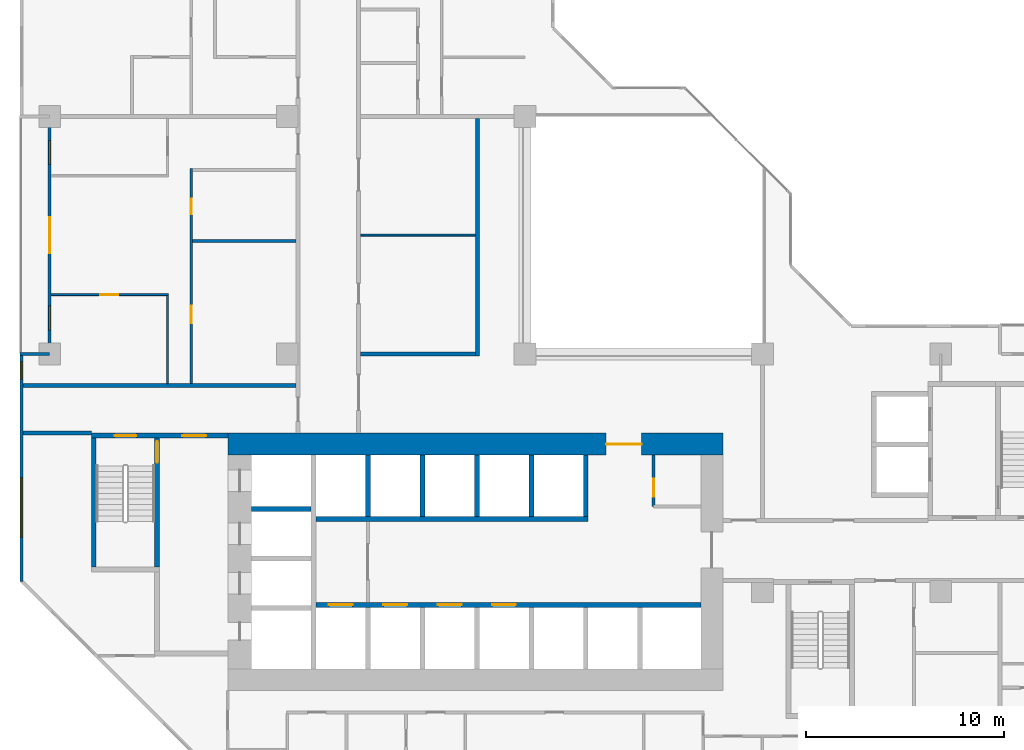
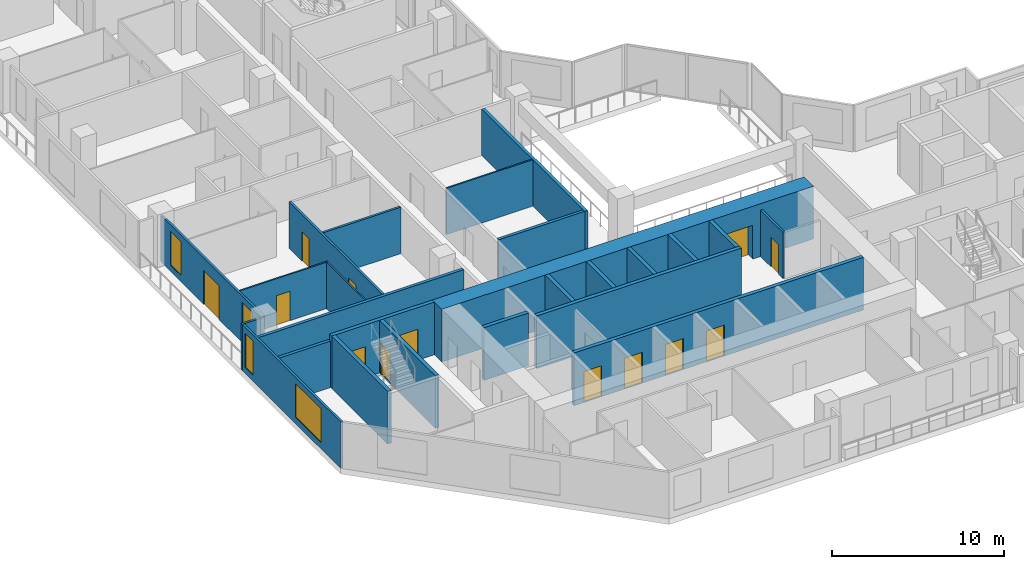
# One storey, part 5 of 16: 25 walls, 13 doors, 4 windows, 17 openings.
"""IFC4 building model written with IfcOpenShell, lengths in metres."""

from ifc_helpers import new_model, si_unit, direction, frame, frame_2d, origin, place, context, subcontext, project, spatial, rectangle, extrude, material, layer, layer_set, type_object, element, fill, save


model = new_model("IFC4")

# Units and contexts
model_context = context("Model", 3, precision=1e-05, world=origin(), true_north=direction((0.0, 1.0)))
body_context = subcontext(model_context, "Body", "Model", "MODEL_VIEW")
ifc_project = project(units=[si_unit("LENGTHUNIT", "METRE"), si_unit("AREAUNIT", "SQUARE_METRE"), si_unit("VOLUMEUNIT", "CUBIC_METRE"), si_unit("PLANEANGLEUNIT", "RADIAN"), si_unit("MASSUNIT", "GRAM", prefix="KILO")], contexts=[model_context])

# Site, building, storey
site_placement = place(None, origin())
site = spatial("IfcSite", under=ifc_project, at=site_placement, CompositionType="ELEMENT")
building_placement = place(site_placement, origin())
building = spatial("IfcBuilding", under=site, at=building_placement, Name="Chenar Terraces", CompositionType="ELEMENT")
storey_placement = place(building_placement, frame((0.0, 0.0, 82.64990234375)))
storey = spatial("IfcBuildingStorey", under=building, at=storey_placement, Name="L18", CompositionType="ELEMENT", Elevation=82.64990234375)

# Wall, opening, door
ifc_material_1 = material(Name="Gypsum board on steel studs", Category="steel")
ifc_layer_1 = layer(ifc_material_1, 0.14990234375)
ifc_layer_set_1 = layer_set([ifc_layer_1], Name="Gypsum board on steel studs")
wall_type_1 = type_object("IfcWallType", Name="Core partition 150 gypsum board", PredefinedType="PARTITIONING", material=ifc_layer_set_1)
wall_1_placement = place(storey_placement, frame((30.5, 16.300048828125, 0.0), z_axis=(0.0, 0.0, 1.0), x_axis=(0.0, 1.0, 0.0)))
wall_1 = element("IfcWall", 1, at=wall_1_placement, inside=storey, type_object=wall_type_1, Name="Core partition CP1 vestibule room west wall", PredefinedType="PARTITIONING", context=body_context, shape_type="SweptSolid", body=[
    extrude(rectangle(XDim=2.599853515625, YDim=0.14990234375, at=frame_2d((1.2998046875, 0.0))), origin(), (0.0, 0.0, 1.0), 3.300048828125),
])
opening_1_placement = place(wall_1_placement, frame((0.5, 0.0, 0.0)))
opening_1 = element("IfcOpeningElement", 2, at=opening_1_placement, cuts=wall_1, Name="Opening DL18-C13", PredefinedType="OPENING", context=body_context, shape_type="SweptSolid", body=[
    extrude(rectangle(XDim=0.89990234375, YDim=2.10009765625, at=frame_2d((0.449951171875, 1.050048828125))), frame((0.0, 0.0849609375, 0.0), z_axis=(0.0, -1.0, 0.0), x_axis=(1.0, 0.0, 0.0)), (0.0, 0.0, 1.0), 0.169921875),
])
ifc_material_2 = material(Name="Steel-framed fire-resisting door leaf", Category="steel")
door_type_1 = type_object("IfcDoorType", Name="Riser fire door FD60 900 x 2100", OperationType="SINGLE_SWING_LEFT", PredefinedType="DOOR", material=ifc_material_2)
door_1_placement = place(opening_1_placement, frame((0.89990234375, 0.0, 0.0), z_axis=(0.0, 0.0, 1.0), x_axis=(-1.0, 0.0, 0.0)))
door_1 = element("IfcDoor", 3, at=door_1_placement, inside=storey, type_object=door_type_1, Name="Core room door DL18-C13", OperationType="SINGLE_SWING_RIGHT", OverallHeight=2.10009765625, OverallWidth=0.89990234375, PredefinedType="DOOR", context=body_context, shape_type="SweptSolid", body=[
    extrude(rectangle(XDim=0.89990234375, YDim=2.10009765625, at=frame_2d((0.449951171875, 1.050048828125))), frame((0.0, 0.02490234375, 0.0), z_axis=(0.0, -1.0, 0.0), x_axis=(1.0, 0.0, 0.0)), (0.0, 0.0, 1.0), 0.050048828125),
])
fill(opening_1, door_1)

ifc_material_3 = material(Name="Concrete C70/85", Category="concrete")
ifc_layer_2 = layer(ifc_material_3, 1.10009765625)
ifc_layer_set_2 = layer_set([ifc_layer_2], Name="Concrete C70/85")
wall_type_2 = type_object("IfcWallType", Name="Core wall 1100 Concrete C70/85", PredefinedType="SHEAR", material=ifc_layer_set_2)
wall_2_placement = place(storey_placement, frame((9.0, 19.449951171875, 0.0), z_axis=(0.0, 0.0, 1.0), x_axis=(1.0, 0.0, 0.0)))
wall_2 = element("IfcWall", 4, at=wall_2_placement, inside=storey, type_object=wall_type_2, Name="Core wall N L18", PredefinedType="SHEAR", context=body_context, shape_type="SweptSolid", body=[
    extrude(rectangle(XDim=25.0, YDim=1.10009765625, at=frame_2d((12.5, 0.0))), origin(), (0.0, 0.0, 1.0), 3.75),
])
opening_2_placement = place(wall_2_placement, frame((19.10009765625, 0.0, 0.0)))
opening_2 = element("IfcOpeningElement", 5, at=opening_2_placement, cuts=wall_2, Name="Opening DL18-C2", PredefinedType="OPENING", context=body_context, shape_type="SweptSolid", body=[
    extrude(rectangle(XDim=1.800048828125, YDim=2.39990234375, at=frame_2d((0.89990234375, 1.199951171875))), frame((0.0, 0.56005859375, 0.0), z_axis=(0.0, -1.0, 0.0), x_axis=(1.0, 0.0, 0.0)), (0.0, 0.0, 1.0), 1.1201171875),
])
ifc_material_4 = material(Name="Steel-framed fire-resisting door leaf", Category="steel")
door_type_2 = type_object("IfcDoorType", Name="Core entrance double fire door FD60 1800 x 2400", OperationType="DOUBLE_DOOR_SINGLE_SWING", PredefinedType="DOOR", material=ifc_material_4)
door_2_placement = place(opening_2_placement, frame((1.800048828125, 0.0, 0.0), z_axis=(0.0, 0.0, 1.0), x_axis=(-1.0, 0.0, 0.0)))
door_2 = element("IfcDoor", 6, at=door_2_placement, inside=storey, type_object=door_type_2, Name="Core door DL18-C2", OperationType="DOUBLE_DOOR_SINGLE_SWING", OverallHeight=2.39990234375, OverallWidth=1.800048828125, PredefinedType="DOOR", context=body_context, shape_type="SweptSolid", body=[
    extrude(rectangle(XDim=1.800048828125, YDim=2.39990234375, at=frame_2d((0.89990234375, 1.199951171875))), frame((0.0, 0.02490234375, 0.0), z_axis=(0.0, -1.0, 0.0), x_axis=(1.0, 0.0, 0.0)), (0.0, 0.0, 1.0), 0.050048828125),
])
fill(opening_2, door_2)

# Wall, openings, doors
ifc_material_5 = material(Name="Concrete C70/85", Category="concrete")
ifc_layer_3 = layer(ifc_material_5, 0.25)
ifc_layer_set_3 = layer_set([ifc_layer_3], Name="Concrete C70/85")
wall_type_3 = type_object("IfcWallType", Name="Core wall 250 Concrete C70/85", PredefinedType="SHEAR", material=ifc_layer_set_3)
wall_3_placement = place(storey_placement, frame((13.449951171875, 11.324951171875, 0.0), z_axis=(0.0, 0.0, 1.0), x_axis=(1.0, 0.0, 0.0)))
wall_3 = element("IfcWall", 7, at=wall_3_placement, inside=storey, type_object=wall_type_3, Name="Core wall SF L18", PredefinedType="SHEAR", context=body_context, shape_type="SweptSolid", body=[
    extrude(rectangle(XDim=19.449951171875, YDim=0.25, at=frame_2d((9.72509765625, 0.0))), origin(), (0.0, 0.0, 1.0), 3.75),
])
opening_3_placement = place(wall_3_placement, frame((0.64990234375, 0.0, 0.0)))
opening_3 = element("IfcOpeningElement", 8, at=opening_3_placement, cuts=wall_3, Name="Opening DL18-LD1", PredefinedType="OPENING", context=body_context, shape_type="SweptSolid", body=[
    extrude(rectangle(XDim=1.199951171875, YDim=2.199951171875, at=frame_2d((0.60009765625, 1.10009765625))), frame((0.0, 0.135009765625, 0.0), z_axis=(0.0, -1.0, 0.0), x_axis=(1.0, 0.0, 0.0)), (0.0, 0.0, 1.0), 0.27001953125),
])
opening_4_placement = place(wall_3_placement, frame((3.39990234375, 0.0, 0.0)))
opening_4 = element("IfcOpeningElement", 9, at=opening_4_placement, cuts=wall_3, Name="Opening DL18-LD2", PredefinedType="OPENING", context=body_context, shape_type="SweptSolid", body=[
    extrude(rectangle(XDim=1.199951171875, YDim=2.199951171875, at=frame_2d((0.60009765625, 1.10009765625))), frame((0.0, 0.135009765625, 0.0), z_axis=(0.0, -1.0, 0.0), x_axis=(1.0, 0.0, 0.0)), (0.0, 0.0, 1.0), 0.27001953125),
])
opening_5_placement = place(wall_3_placement, frame((6.14990234375, 0.0, 0.0)))
opening_5 = element("IfcOpeningElement", 10, at=opening_5_placement, cuts=wall_3, Name="Opening DL18-LD3", PredefinedType="OPENING", context=body_context, shape_type="SweptSolid", body=[
    extrude(rectangle(XDim=1.199951171875, YDim=2.199951171875, at=frame_2d((0.60009765625, 1.10009765625))), frame((0.0, 0.135009765625, 0.0), z_axis=(0.0, -1.0, 0.0), x_axis=(1.0, 0.0, 0.0)), (0.0, 0.0, 1.0), 0.27001953125),
])
opening_6_placement = place(wall_3_placement, frame((8.89990234375, 0.0, 0.0)))
opening_6 = element("IfcOpeningElement", 11, at=opening_6_placement, cuts=wall_3, Name="Opening DL18-LD4", PredefinedType="OPENING", context=body_context, shape_type="SweptSolid", body=[
    extrude(rectangle(XDim=1.199951171875, YDim=2.199951171875, at=frame_2d((0.60009765625, 1.10009765625))), frame((0.0, 0.135009765625, 0.0), z_axis=(0.0, -1.0, 0.0), x_axis=(1.0, 0.0, 0.0)), (0.0, 0.0, 1.0), 0.27001953125),
])
ifc_material_6 = material(Name="Stainless steel", Category="steel")
door_type_3 = type_object("IfcDoorType", Name="Lift landing door 1200 x 2200 sliding", OperationType="DOUBLE_DOOR_SLIDING", PredefinedType="DOOR", material=ifc_material_6)
door_3_placement = place(opening_3_placement, origin())
door_3 = element("IfcDoor", 12, at=door_3_placement, inside=storey, type_object=door_type_3, Name="Landing door L1", OperationType="DOUBLE_DOOR_SLIDING", OverallHeight=2.199951171875, OverallWidth=1.199951171875, PredefinedType="DOOR", context=body_context, shape_type="SweptSolid", body=[
    extrude(rectangle(XDim=1.199951171875, YDim=2.199951171875, at=frame_2d((0.60009765625, 1.10009765625))), frame((0.0, 0.02490234375, 0.0), z_axis=(0.0, -1.0, 0.0), x_axis=(1.0, 0.0, 0.0)), (0.0, 0.0, 1.0), 0.050048828125),
])
fill(opening_3, door_3)
door_4_placement = place(opening_4_placement, origin())
door_4 = element("IfcDoor", 13, at=door_4_placement, inside=storey, type_object=door_type_3, Name="Landing door L2", OperationType="DOUBLE_DOOR_SLIDING", OverallHeight=2.199951171875, OverallWidth=1.199951171875, PredefinedType="DOOR", context=body_context, shape_type="SweptSolid", body=[
    extrude(rectangle(XDim=1.199951171875, YDim=2.199951171875, at=frame_2d((0.60009765625, 1.10009765625))), frame((0.0, 0.02490234375, 0.0), z_axis=(0.0, -1.0, 0.0), x_axis=(1.0, 0.0, 0.0)), (0.0, 0.0, 1.0), 0.050048828125),
])
fill(opening_4, door_4)
door_5_placement = place(opening_5_placement, origin())
door_5 = element("IfcDoor", 14, at=door_5_placement, inside=storey, type_object=door_type_3, Name="Landing door L3", OperationType="DOUBLE_DOOR_SLIDING", OverallHeight=2.199951171875, OverallWidth=1.199951171875, PredefinedType="DOOR", context=body_context, shape_type="SweptSolid", body=[
    extrude(rectangle(XDim=1.199951171875, YDim=2.199951171875, at=frame_2d((0.60009765625, 1.10009765625))), frame((0.0, 0.02490234375, 0.0), z_axis=(0.0, -1.0, 0.0), x_axis=(1.0, 0.0, 0.0)), (0.0, 0.0, 1.0), 0.050048828125),
])
fill(opening_5, door_5)
door_6_placement = place(opening_6_placement, origin())
door_6 = element("IfcDoor", 15, at=door_6_placement, inside=storey, type_object=door_type_3, Name="Landing door L4", OperationType="DOUBLE_DOOR_SLIDING", OverallHeight=2.199951171875, OverallWidth=1.199951171875, PredefinedType="DOOR", context=body_context, shape_type="SweptSolid", body=[
    extrude(rectangle(XDim=1.199951171875, YDim=2.199951171875, at=frame_2d((0.60009765625, 1.10009765625))), frame((0.0, 0.02490234375, 0.0), z_axis=(0.0, -1.0, 0.0), x_axis=(1.0, 0.0, 0.0)), (0.0, 0.0, 1.0), 0.050048828125),
])
fill(opening_6, door_6)

# Walls
wall_4_placement = place(storey_placement, frame((13.449951171875, 15.675048828125, 0.0), z_axis=(0.0, 0.0, 1.0), x_axis=(1.0, 0.0, 0.0)))
element("IfcWall", 16, at=wall_4_placement, inside=storey, type_object=wall_type_3, Name="Core wall NF L18", PredefinedType="SHEAR", context=body_context, shape_type="SweptSolid", body=[
    extrude(rectangle(XDim=13.75, YDim=0.25, at=frame_2d((6.875, 0.0))), origin(), (0.0, 0.0, 1.0), 3.75),
])
wall_5_placement = place(storey_placement, frame((10.199951171875, 16.175048828125, 0.0), z_axis=(0.0, 0.0, 1.0), x_axis=(1.0, 0.0, 0.0)))
element("IfcWall", 17, at=wall_5_placement, inside=storey, type_object=wall_type_3, Name="Core wall HW2 L18", PredefinedType="SHEAR", context=body_context, shape_type="SweptSolid", body=[
    extrude(rectangle(XDim=3.0, YDim=0.25, at=frame_2d((1.5, 0.0))), origin(), (0.0, 0.0, 1.0), 3.75),
])
for number, where, z_axis, x_axis, name in (
    (18, (16.074951171875, 15.800048828125, 0.0), (0.0, 0.0, 1.0), (0.0, 1.0, 0.0), "Core wall NS0 L18"),
    (19, (18.824951171875, 15.800048828125, 0.0), (0.0, 0.0, 1.0), (0.0, 1.0, 0.0), "Core wall NS1 L18"),
    (20, (21.574951171875, 15.800048828125, 0.0), (0.0, 0.0, 1.0), (0.0, 1.0, 0.0), "Core wall NS2 L18"),
    (21, (24.324951171875, 15.800048828125, 0.0), (0.0, 0.0, 1.0), (0.0, 1.0, 0.0), "Core wall NS3 L18"),
    (22, (27.074951171875, 15.800048828125, 0.0), (0.0, 0.0, 1.0), (0.0, 1.0, 0.0), "Core wall NE L18"),
):
    element("IfcWall", number, at=place(storey_placement, frame(where, z_axis=z_axis, x_axis=x_axis)), inside=storey, type_object=wall_type_3, Name=name, PredefinedType="SHEAR", context=body_context, shape_type="SweptSolid", body=[
        extrude(rectangle(XDim=3.099853515625, YDim=0.25, at=frame_2d((1.5498046875, 0.0))), origin(), (0.0, 0.0, 1.0), 3.75),
    ])

# Wall, openings, doors
wall_6_placement = place(storey_placement, frame((2.10009765625, 19.875, 0.0), z_axis=(0.0, 0.0, 1.0), x_axis=(1.0, 0.0, 0.0)))
wall_6 = element("IfcWall", 23, at=wall_6_placement, inside=storey, type_object=wall_type_3, Name="Core wall A_N L18", PredefinedType="SHEAR", context=body_context, shape_type="SweptSolid", body=[
    extrude(rectangle(XDim=6.89990234375, YDim=0.25, at=frame_2d((3.449951171875, 0.0))), origin(), (0.0, 0.0, 1.0), 3.75),
])
opening_7_placement = place(wall_6_placement, frame((1.175048828125, 0.0, 0.0)))
opening_7 = element("IfcOpeningElement", 24, at=opening_7_placement, cuts=wall_6, Name="Opening DL18-C5", PredefinedType="OPENING", context=body_context, shape_type="SweptSolid", body=[
    extrude(rectangle(XDim=1.10009765625, YDim=2.199951171875, at=frame_2d((0.550048828125, 1.10009765625))), frame((0.0, 0.135009765625, 0.0), z_axis=(0.0, -1.0, 0.0), x_axis=(1.0, 0.0, 0.0)), (0.0, 0.0, 1.0), 0.27001953125),
])
opening_8_placement = place(wall_6_placement, frame((4.60009765625, 0.0, 0.0)))
opening_8 = element("IfcOpeningElement", 25, at=opening_8_placement, cuts=wall_6, Name="Opening DL18-C6", PredefinedType="OPENING", context=body_context, shape_type="SweptSolid", body=[
    extrude(rectangle(XDim=1.199951171875, YDim=2.199951171875, at=frame_2d((0.60009765625, 1.10009765625))), frame((0.0, 0.135009765625, 0.0), z_axis=(0.0, -1.0, 0.0), x_axis=(1.0, 0.0, 0.0)), (0.0, 0.0, 1.0), 0.27001953125),
])
ifc_material_7 = material(Name="Steel-framed fire-resisting door leaf", Category="steel")
door_type_4 = type_object("IfcDoorType", Name="Lobby fire door FD60 1200 x 2200", OperationType="SINGLE_SWING_LEFT", PredefinedType="DOOR", material=ifc_material_7)
door_7_placement = place(opening_8_placement, frame((1.199951171875, 0.0, 0.0), z_axis=(0.0, 0.0, 1.0), x_axis=(-1.0, 0.0, 0.0)))
door_7 = element("IfcDoor", 26, at=door_7_placement, inside=storey, type_object=door_type_4, Name="Core door DL18-C6", OperationType="SINGLE_SWING_LEFT", OverallHeight=2.199951171875, OverallWidth=1.199951171875, PredefinedType="DOOR", context=body_context, shape_type="SweptSolid", body=[
    extrude(rectangle(XDim=1.199951171875, YDim=2.199951171875, at=frame_2d((0.60009765625, 1.10009765625))), frame((0.0, 0.02490234375, 0.0), z_axis=(0.0, -1.0, 0.0), x_axis=(1.0, 0.0, 0.0)), (0.0, 0.0, 1.0), 0.050048828125),
])
fill(opening_8, door_7)
ifc_material_8 = material(Name="Steel-framed fire-resisting door leaf", Category="steel")
door_type_5 = type_object("IfcDoorType", Name="Stair fire door FD60 1100 x 2200", OperationType="SINGLE_SWING_LEFT", PredefinedType="DOOR", material=ifc_material_8)
door_8_placement = place(opening_7_placement, origin())
door_8 = element("IfcDoor", 27, at=door_8_placement, inside=storey, type_object=door_type_5, Name="Stair door DL18-C5", OperationType="SINGLE_SWING_LEFT", OverallHeight=2.199951171875, OverallWidth=1.10009765625, PredefinedType="DOOR", context=body_context, shape_type="SweptSolid", body=[
    extrude(rectangle(XDim=1.10009765625, YDim=2.199951171875, at=frame_2d((0.550048828125, 1.10009765625))), frame((0.0, 0.02490234375, 0.0), z_axis=(0.0, -1.0, 0.0), x_axis=(1.0, 0.0, 0.0)), (0.0, 0.0, 1.0), 0.050048828125),
])
fill(opening_7, door_8)

# Wall
wall_7_placement = place(storey_placement, frame((2.22509765625, 13.25, 0.0), z_axis=(0.0, 0.0, 1.0), x_axis=(0.0, 1.0, 0.0)))
element("IfcWall", 28, at=wall_7_placement, inside=storey, type_object=wall_type_3, Name="Core wall ST1_W L18", PredefinedType="SHEAR", context=body_context, shape_type="SweptSolid", body=[
    extrude(rectangle(XDim=6.5, YDim=0.25, at=frame_2d((3.25, 0.0))), origin(), (0.0, 0.0, 1.0), 3.75),
])

# Wall, opening, door
wall_8_placement = place(storey_placement, frame((5.425048828125, 13.25, 0.0), z_axis=(0.0, 0.0, 1.0), x_axis=(0.0, 1.0, 0.0)))
wall_8 = element("IfcWall", 29, at=wall_8_placement, inside=storey, type_object=wall_type_3, Name="Core wall ST1_E L18", PredefinedType="SHEAR", context=body_context, shape_type="SweptSolid", body=[
    extrude(rectangle(XDim=6.5, YDim=0.25, at=frame_2d((3.25, 0.0))), origin(), (0.0, 0.0, 1.0), 3.75),
])
opening_9_placement = place(wall_8_placement, frame((5.25, 0.0, 0.0)))
opening_9 = element("IfcOpeningElement", 30, at=opening_9_placement, cuts=wall_8, Name="Opening DL18-C3", PredefinedType="OPENING", context=body_context, shape_type="SweptSolid", body=[
    extrude(rectangle(XDim=1.10009765625, YDim=2.199951171875, at=frame_2d((0.550048828125, 1.10009765625))), frame((0.0, 0.135009765625, 0.0), z_axis=(0.0, -1.0, 0.0), x_axis=(1.0, 0.0, 0.0)), (0.0, 0.0, 1.0), 0.27001953125),
])
door_9_placement = place(opening_9_placement, origin())
door_9 = element("IfcDoor", 31, at=door_9_placement, inside=storey, type_object=door_type_5, Name="Stair door DL18-C3", OperationType="SINGLE_SWING_RIGHT", OverallHeight=2.199951171875, OverallWidth=1.10009765625, PredefinedType="DOOR", context=body_context, shape_type="SweptSolid", body=[
    extrude(rectangle(XDim=1.10009765625, YDim=2.199951171875, at=frame_2d((0.550048828125, 1.10009765625))), frame((0.0, 0.02490234375, 0.0), z_axis=(0.0, -1.0, 0.0), x_axis=(1.0, 0.0, 0.0)), (0.0, 0.0, 1.0), 0.050048828125),
])
fill(opening_9, door_9)

# Walls
ifc_material_9 = material(Name="Gypsum board on steel studs with fire boards", Category="steel")
ifc_layer_4 = layer(ifc_material_9, 0.199951171875)
ifc_layer_set_4 = layer_set([ifc_layer_4], Name="Gypsum board on steel studs with fire boards")
wall_type_4 = type_object("IfcWallType", Name="Corridor wall 200", PredefinedType="PARTITIONING", material=ifc_layer_set_4)
wall_9_placement = place(storey_placement, frame((-1.35009765625, 20.0, 0.0), z_axis=(0.0, 0.0, 1.0), x_axis=(1.0, 0.0, 0.0)))
element("IfcWall", 32, at=wall_9_placement, inside=storey, type_object=wall_type_4, Name="Partition L18-001", PredefinedType="PARTITIONING", context=body_context, shape_type="SweptSolid", body=[
    extrude(rectangle(XDim=3.4501953125, YDim=0.199951171875, at=frame_2d((1.72509765625, 0.0))), origin(), (0.0, 0.0, 1.0), 3.300048828125),
])
wall_10_placement = place(storey_placement, frame((-1.35009765625, 22.39990234375, 0.0), z_axis=(0.0, 0.0, 1.0), x_axis=(1.0, 0.0, 0.0)))
element("IfcWall", 33, at=wall_10_placement, inside=storey, type_object=wall_type_4, Name="Partition L18-002", PredefinedType="PARTITIONING", context=body_context, shape_type="SweptSolid", body=[
    extrude(rectangle(XDim=13.800048828125, YDim=0.199951171875, at=frame_2d((6.89990234375, 0.0))), origin(), (0.0, 0.0, 1.0), 3.300048828125),
])
wall_11_placement = place(storey_placement, frame((15.699951171875, 24.0, 0.0), z_axis=(0.0, 0.0, 1.0), x_axis=(1.0, 0.0, 0.0)))
element("IfcWall", 34, at=wall_11_placement, inside=storey, type_object=wall_type_4, Name="Partition L18-039", PredefinedType="PARTITIONING", context=body_context, shape_type="SweptSolid", body=[
    extrude(rectangle(XDim=5.800048828125, YDim=0.199951171875, at=frame_2d((2.89990234375, 0.0))), origin(), (0.0, 0.0, 1.0), 3.300048828125),
])
wall_12_placement = place(storey_placement, frame((21.60009765625, 23.89990234375, 0.0), z_axis=(0.0, 0.0, 1.0), x_axis=(0.0, 1.0, 0.0)))
element("IfcWall", 35, at=wall_12_placement, inside=storey, type_object=wall_type_4, Name="Partition L18-058", PredefinedType="PARTITIONING", context=body_context, shape_type="SweptSolid", body=[
    extrude(rectangle(XDim=12.0, YDim=0.199951171875, at=frame_2d((6.0, 0.0))), origin(), (0.0, 0.0, 1.0), 3.300048828125),
])

# Wall, openings, windows
ifc_material_10 = material(Name="Aluminium framed glazing", Category="aluminium")
ifc_layer_5 = layer(ifc_material_10, 0.14990234375)
ifc_layer_set_5 = layer_set([ifc_layer_5], Name="Aluminium framed glazing")
wall_type_5 = type_object("IfcWallType", Name="Glazed flush facade wall 150", PredefinedType="SOLIDWALL", material=ifc_layer_set_5)
wall_13_placement = place(storey_placement, frame((-1.425048828125, 23.925048828125, 0.0), z_axis=(0.0, 0.0, 1.0), x_axis=(0.0, -1.0, 0.0)))
wall_13 = element("IfcWall", 36, at=wall_13_placement, inside=storey, type_object=wall_type_5, Name="Glazed flush facade wall", PredefinedType="SOLIDWALL", context=body_context, shape_type="SweptSolid", body=[
    extrude(rectangle(XDim=11.425048828125, YDim=0.14990234375, at=frame_2d((5.71240234375, 0.0))), origin(), (0.0, 0.0, 1.0), 3.300048828125),
])
opening_10_placement = place(wall_13_placement, frame((0.3125, 0.0, 0.449951171875)))
opening_10 = element("IfcOpeningElement", 37, at=opening_10_placement, cuts=wall_13, Name="Opening W90x240", PredefinedType="OPENING", context=body_context, shape_type="SweptSolid", body=[
    extrude(rectangle(XDim=0.89990234375, YDim=2.39990234375, at=frame_2d((0.449951171875, 1.199951171875))), frame((0.0, 0.0849609375, 0.0), z_axis=(0.0, -1.0, 0.0), x_axis=(1.0, 0.0, 0.0)), (0.0, 0.0, 1.0), 0.169921875),
])
opening_11_placement = place(wall_13_placement, frame((6.175048828125, 0.0, 0.449951171875)))
opening_11 = element("IfcOpeningElement", 38, at=opening_11_placement, cuts=wall_13, Name="Opening W300x240", PredefinedType="OPENING", context=body_context, shape_type="SweptSolid", body=[
    extrude(rectangle(XDim=3.0, YDim=2.39990234375, at=frame_2d((1.5, 1.199951171875))), frame((0.0, 0.0849609375, 0.0), z_axis=(0.0, -1.0, 0.0), x_axis=(1.0, 0.0, 0.0)), (0.0, 0.0, 1.0), 0.169921875),
])
ifc_material_11 = material(Name="Low emissivity double glazing, aluminium frame", Category="aluminium")
window_type_1 = type_object("IfcWindowType", Name="Fixed light 3000 x 2400", PartitioningType="SINGLE_PANEL", PredefinedType="WINDOW", material=ifc_material_11)
window_1_placement = place(opening_11_placement, origin())
window_1 = element("IfcWindow", 39, at=window_1_placement, inside=storey, type_object=window_type_1, Name="Window", OverallHeight=2.39990234375, OverallWidth=3.0, PartitioningType="SINGLE_PANEL", PredefinedType="WINDOW", context=body_context, shape_type="SweptSolid", body=[
    extrude(rectangle(XDim=3.0, YDim=2.39990234375, at=frame_2d((1.5, 1.199951171875))), frame((0.0, 0.030029296875, 0.0), z_axis=(0.0, -1.0, 0.0), x_axis=(1.0, 0.0, 0.0)), (0.0, 0.0, 1.0), 0.06005859375),
])
fill(opening_11, window_1)
ifc_material_12 = material(Name="Low emissivity double glazing, aluminium frame", Category="aluminium")
window_type_2 = type_object("IfcWindowType", Name="Fixed light 900 x 2400", PartitioningType="SINGLE_PANEL", PredefinedType="WINDOW", material=ifc_material_12)
window_2_placement = place(opening_10_placement, origin())
window_2 = element("IfcWindow", 40, at=window_2_placement, inside=storey, type_object=window_type_2, Name="Window", OverallHeight=2.39990234375, OverallWidth=0.89990234375, PartitioningType="SINGLE_PANEL", PredefinedType="WINDOW", context=body_context, shape_type="SweptSolid", body=[
    extrude(rectangle(XDim=0.89990234375, YDim=2.39990234375, at=frame_2d((0.449951171875, 1.199951171875))), frame((0.0, 0.030029296875, 0.0), z_axis=(0.0, -1.0, 0.0), x_axis=(1.0, 0.0, 0.0)), (0.0, 0.0, 1.0), 0.06005859375),
])
fill(opening_10, window_2)

# Wall, openings, windows, door
ifc_material_13 = material(Name="Aluminium framed glazing", Category="aluminium")
ifc_layer_6 = layer(ifc_material_13, 0.14990234375)
ifc_layer_set_6 = layer_set([ifc_layer_6], Name="Aluminium framed glazing")
wall_type_6 = type_object("IfcWallType", Name="Glazed loggia back wall 150", PredefinedType="SOLIDWALL", material=ifc_layer_set_6)
wall_14_placement = place(storey_placement, frame((0.0, 35.925048828125, 0.0), z_axis=(0.0, 0.0, 1.0), x_axis=(0.0, -1.0, 0.0)))
wall_14 = element("IfcWall", 41, at=wall_14_placement, inside=storey, type_object=wall_type_6, Name="Glazed loggia back wall", PredefinedType="SOLIDWALL", context=body_context, shape_type="SweptSolid", body=[
    extrude(rectangle(XDim=11.85009765625, YDim=0.14990234375, at=frame_2d((5.925048828125, 0.0))), origin(), (0.0, 0.0, 1.0), 3.300048828125),
])
opening_12_placement = place(wall_14_placement, frame((1.14990234375, 0.0, 0.449951171875)))
opening_12 = element("IfcOpeningElement", 42, at=opening_12_placement, cuts=wall_14, Name="Opening W120x240", PredefinedType="OPENING", context=body_context, shape_type="SweptSolid", body=[
    extrude(rectangle(XDim=1.199951171875, YDim=2.39990234375, at=frame_2d((0.60009765625, 1.199951171875))), frame((0.0, 0.0849609375, 0.0), z_axis=(0.0, -1.0, 0.0), x_axis=(1.0, 0.0, 0.0)), (0.0, 0.0, 1.0), 0.169921875),
])
opening_13_placement = place(wall_14_placement, frame((5.02490234375, 0.0, 0.0)))
opening_13 = element("IfcOpeningElement", 43, at=opening_13_placement, cuts=wall_14, Name="Opening DL18-G4", PredefinedType="OPENING", context=body_context, shape_type="SweptSolid", body=[
    extrude(rectangle(XDim=1.800048828125, YDim=2.39990234375, at=frame_2d((0.89990234375, 1.199951171875))), frame((0.0, 0.0849609375, 0.0), z_axis=(0.0, -1.0, 0.0), x_axis=(1.0, 0.0, 0.0)), (0.0, 0.0, 1.0), 0.169921875),
])
opening_14_placement = place(wall_14_placement, frame((9.5, 0.0, 0.449951171875)))
opening_14 = element("IfcOpeningElement", 44, at=opening_14_placement, cuts=wall_14, Name="Opening W120x240", PredefinedType="OPENING", context=body_context, shape_type="SweptSolid", body=[
    extrude(rectangle(XDim=1.199951171875, YDim=2.39990234375, at=frame_2d((0.60009765625, 1.199951171875))), frame((0.0, 0.0849609375, 0.0), z_axis=(0.0, -1.0, 0.0), x_axis=(1.0, 0.0, 0.0)), (0.0, 0.0, 1.0), 0.169921875),
])
ifc_material_14 = material(Name="Low emissivity double glazing, aluminium frame", Category="aluminium")
window_type_3 = type_object("IfcWindowType", Name="Fixed light 1200 x 2400", PartitioningType="SINGLE_PANEL", PredefinedType="WINDOW", material=ifc_material_14)
window_3_placement = place(opening_12_placement, origin())
window_3 = element("IfcWindow", 45, at=window_3_placement, inside=storey, type_object=window_type_3, Name="Window", OverallHeight=2.39990234375, OverallWidth=1.199951171875, PartitioningType="SINGLE_PANEL", PredefinedType="WINDOW", context=body_context, shape_type="SweptSolid", body=[
    extrude(rectangle(XDim=1.199951171875, YDim=2.39990234375, at=frame_2d((0.60009765625, 1.199951171875))), frame((0.0, 0.030029296875, 0.0), z_axis=(0.0, -1.0, 0.0), x_axis=(1.0, 0.0, 0.0)), (0.0, 0.0, 1.0), 0.06005859375),
])
fill(opening_12, window_3)
window_4_placement = place(opening_14_placement, origin())
window_4 = element("IfcWindow", 46, at=window_4_placement, inside=storey, type_object=window_type_3, Name="Window", OverallHeight=2.39990234375, OverallWidth=1.199951171875, PartitioningType="SINGLE_PANEL", PredefinedType="WINDOW", context=body_context, shape_type="SweptSolid", body=[
    extrude(rectangle(XDim=1.199951171875, YDim=2.39990234375, at=frame_2d((0.60009765625, 1.199951171875))), frame((0.0, 0.030029296875, 0.0), z_axis=(0.0, -1.0, 0.0), x_axis=(1.0, 0.0, 0.0)), (0.0, 0.0, 1.0), 0.06005859375),
])
fill(opening_14, window_4)
ifc_material_15 = material(Name="Low emissivity double glazing, aluminium frame", Category="aluminium")
door_type_6 = type_object("IfcDoorType", Name="Loggia glazed double door 1800 x 2400", OperationType="DOUBLE_DOOR_SINGLE_SWING", PredefinedType="DOOR", material=ifc_material_15)
door_10_placement = place(opening_13_placement, frame((1.800048828125, 0.0, 0.0), z_axis=(0.0, 0.0, 1.0), x_axis=(-1.0, 0.0, 0.0)))
door_10 = element("IfcDoor", 47, at=door_10_placement, inside=storey, type_object=door_type_6, Name="Loggia glazed door", OperationType="DOUBLE_DOOR_SINGLE_SWING", OverallHeight=2.39990234375, OverallWidth=1.800048828125, PredefinedType="DOOR", context=body_context, shape_type="SweptSolid", body=[
    extrude(rectangle(XDim=1.800048828125, YDim=2.39990234375, at=frame_2d((0.89990234375, 1.199951171875))), frame((0.0, 0.02490234375, 0.0), z_axis=(0.0, -1.0, 0.0), x_axis=(1.0, 0.0, 0.0)), (0.0, 0.0, 1.0), 0.050048828125),
])
fill(opening_13, door_10)

# Wall, opening, door
ifc_material_16 = material(Name="Gypsum board on steel studs", Category="steel")
ifc_layer_7 = layer(ifc_material_16, 0.10009765625)
ifc_layer_set_7 = layer_set([ifc_layer_7], Name="Gypsum board on steel studs")
wall_type_7 = type_object("IfcWallType", Name="Gypsum partition 100", PredefinedType="PARTITIONING", material=ifc_layer_set_7)
wall_15_placement = place(storey_placement, frame((0.073974609375, 27.0, 0.0), z_axis=(0.0, 0.0, 1.0), x_axis=(1.0, 0.0, 0.0)))
wall_15 = element("IfcWall", 48, at=wall_15_placement, inside=storey, type_object=wall_type_7, Name="Partition L18-006", PredefinedType="PARTITIONING", context=body_context, shape_type="SweptSolid", body=[
    extrude(rectangle(XDim=5.926025390625, YDim=0.10009765625, at=frame_2d((2.962890625, 0.0))), origin(), (0.0, 0.0, 1.0), 3.300048828125),
])
opening_15_placement = place(wall_15_placement, frame((2.47607421875, 0.0, 0.0)))
opening_15 = element("IfcOpeningElement", 49, at=opening_15_placement, cuts=wall_15, Name="Opening DL18-71", PredefinedType="OPENING", context=body_context, shape_type="SweptSolid", body=[
    extrude(rectangle(XDim=0.89990234375, YDim=2.10009765625, at=frame_2d((0.449951171875, 1.050048828125))), frame((0.0, 0.06005859375, 0.0), z_axis=(0.0, -1.0, 0.0), x_axis=(1.0, 0.0, 0.0)), (0.0, 0.0, 1.0), 0.1201171875),
])
ifc_material_17 = material(Name="Veneered timber door leaf", Category="wood")
door_type_7 = type_object("IfcDoorType", Name="Door 900 x 2100", OperationType="SINGLE_SWING_LEFT", PredefinedType="DOOR", material=ifc_material_17)
door_11_placement = place(opening_15_placement, frame((0.89990234375, 0.0, 0.0), z_axis=(0.0, 0.0, 1.0), x_axis=(-1.0, 0.0, 0.0)))
door_11 = element("IfcDoor", 50, at=door_11_placement, inside=storey, type_object=door_type_7, Name="Door DL18-71", OperationType="SINGLE_SWING_RIGHT", OverallHeight=2.10009765625, OverallWidth=0.89990234375, PredefinedType="DOOR", context=body_context, shape_type="SweptSolid", body=[
    extrude(rectangle(XDim=0.89990234375, YDim=2.10009765625, at=frame_2d((0.449951171875, 1.050048828125))), frame((0.0, 0.02490234375, 0.0), z_axis=(0.0, -1.0, 0.0), x_axis=(1.0, 0.0, 0.0)), (0.0, 0.0, 1.0), 0.050048828125),
])
fill(opening_15, door_11)

# Walls
wall_16_placement = place(storey_placement, frame((5.949951171875, 22.5, 0.0), z_axis=(0.0, 0.0, 1.0), x_axis=(0.0, 1.0, 0.0)))
element("IfcWall", 51, at=wall_16_placement, inside=storey, type_object=wall_type_7, Name="Partition L18-014", PredefinedType="PARTITIONING", context=body_context, shape_type="SweptSolid", body=[
    extrude(rectangle(XDim=4.449951171875, YDim=0.10009765625, at=frame_2d((2.22509765625, 0.0))), origin(), (0.0, 0.0, 1.0), 3.300048828125),
])
wall_17_placement = place(storey_placement, frame((15.699951171875, 30.0, 0.0), z_axis=(0.0, 0.0, 1.0), x_axis=(1.0, 0.0, 0.0)))
element("IfcWall", 52, at=wall_17_placement, inside=storey, type_object=wall_type_7, Name="Partition L18-040", PredefinedType="PARTITIONING", context=body_context, shape_type="SweptSolid", body=[
    extrude(rectangle(XDim=5.800048828125, YDim=0.10009765625, at=frame_2d((2.89990234375, 0.0))), origin(), (0.0, 0.0, 1.0), 3.300048828125),
])
ifc_material_18 = material(Name="Terracotta cladding on insulated backing", Category="masonry")
ifc_layer_8 = layer(ifc_material_18, 0.14990234375)
ifc_layer_set_8 = layer_set([ifc_layer_8], Name="Terracotta cladding on insulated backing")
wall_type_8 = type_object("IfcWallType", Name="Loggia return wall 150", PredefinedType="SOLIDWALL", material=ifc_layer_set_8)
wall_18_placement = place(storey_placement, frame((-1.5, 24.0, 0.0), z_axis=(0.0, 0.0, 1.0), x_axis=(1.0, 0.0, 0.0)))
element("IfcWall", 53, at=wall_18_placement, inside=storey, type_object=wall_type_8, Name="Loggia return wall", PredefinedType="SOLIDWALL", context=body_context, shape_type="SweptSolid", body=[
    extrude(rectangle(XDim=1.5, YDim=0.14990234375, at=frame_2d((0.75, 0.0))), origin(), (0.0, 0.0, 1.0), 3.300048828125),
])

# Wall, openings, doors
ifc_material_19 = material(Name="Moisture-resistant gypsum board on steel studs", Category="steel")
ifc_layer_9 = layer(ifc_material_19, 0.14990234375)
ifc_layer_set_9 = layer_set([ifc_layer_9], Name="Moisture-resistant gypsum board on steel studs")
wall_type_9 = type_object("IfcWallType", Name="Wet-room partition 150", PredefinedType="PARTITIONING", material=ifc_layer_set_9)
wall_19_placement = place(storey_placement, frame((7.14990234375, 22.5, 0.0), z_axis=(0.0, 0.0, 1.0), x_axis=(0.0, 1.0, 0.0)))
wall_19 = element("IfcWall", 54, at=wall_19_placement, inside=storey, type_object=wall_type_9, Name="Partition L18-018", PredefinedType="PARTITIONING", context=body_context, shape_type="SweptSolid", body=[
    extrude(rectangle(XDim=10.875, YDim=0.14990234375, at=frame_2d((5.4375, 0.0))), origin(), (0.0, 0.0, 1.0), 3.300048828125),
])
opening_16_placement = place(wall_19_placement, frame((8.550048828125, 0.0, 0.0)))
opening_16 = element("IfcOpeningElement", 55, at=opening_16_placement, cuts=wall_19, Name="Opening DL18-70", PredefinedType="OPENING", context=body_context, shape_type="SweptSolid", body=[
    extrude(rectangle(XDim=0.800048828125, YDim=2.10009765625, at=frame_2d((0.39990234375, 1.050048828125))), frame((0.0, 0.0849609375, 0.0), z_axis=(0.0, -1.0, 0.0), x_axis=(1.0, 0.0, 0.0)), (0.0, 0.0, 1.0), 0.169921875),
])
opening_17_placement = place(wall_19_placement, frame((3.050048828125, 0.0, 0.0)))
opening_17 = element("IfcOpeningElement", 56, at=opening_17_placement, cuts=wall_19, Name="Opening DL18-73", PredefinedType="OPENING", context=body_context, shape_type="SweptSolid", body=[
    extrude(rectangle(XDim=0.89990234375, YDim=2.10009765625, at=frame_2d((0.449951171875, 1.050048828125))), frame((0.0, 0.0849609375, 0.0), z_axis=(0.0, -1.0, 0.0), x_axis=(1.0, 0.0, 0.0)), (0.0, 0.0, 1.0), 0.169921875),
])
ifc_material_20 = material(Name="Veneered timber door leaf", Category="wood")
door_type_8 = type_object("IfcDoorType", Name="Door 800 x 2100", OperationType="SINGLE_SWING_LEFT", PredefinedType="DOOR", material=ifc_material_20)
door_12_placement = place(opening_16_placement, frame((0.800048828125, 0.0, 0.0), z_axis=(0.0, 0.0, 1.0), x_axis=(-1.0, 0.0, 0.0)))
door_12 = element("IfcDoor", 57, at=door_12_placement, inside=storey, type_object=door_type_8, Name="Door DL18-70", OperationType="SINGLE_SWING_RIGHT", OverallHeight=2.10009765625, OverallWidth=0.800048828125, PredefinedType="DOOR", context=body_context, shape_type="SweptSolid", body=[
    extrude(rectangle(XDim=0.800048828125, YDim=2.10009765625, at=frame_2d((0.39990234375, 1.050048828125))), frame((0.0, 0.02490234375, 0.0), z_axis=(0.0, -1.0, 0.0), x_axis=(1.0, 0.0, 0.0)), (0.0, 0.0, 1.0), 0.050048828125),
])
fill(opening_16, door_12)
door_13_placement = place(opening_17_placement, frame((0.89990234375, 0.0, 0.0), z_axis=(0.0, 0.0, 1.0), x_axis=(-1.0, 0.0, 0.0)))
door_13 = element("IfcDoor", 58, at=door_13_placement, inside=storey, type_object=door_type_7, Name="Door DL18-73", OperationType="SINGLE_SWING_LEFT", OverallHeight=2.10009765625, OverallWidth=0.89990234375, PredefinedType="DOOR", context=body_context, shape_type="SweptSolid", body=[
    extrude(rectangle(XDim=0.89990234375, YDim=2.10009765625, at=frame_2d((0.449951171875, 1.050048828125))), frame((0.0, 0.02490234375, 0.0), z_axis=(0.0, -1.0, 0.0), x_axis=(1.0, 0.0, 0.0)), (0.0, 0.0, 1.0), 0.050048828125),
])
fill(opening_17, door_13)

# Wall
wall_20_placement = place(storey_placement, frame((7.22509765625, 29.699951171875, 0.0), z_axis=(0.0, 0.0, 1.0), x_axis=(1.0, 0.0, 0.0)))
element("IfcWall", 59, at=wall_20_placement, inside=storey, type_object=wall_type_9, Name="Partition L18-020", PredefinedType="PARTITIONING", context=body_context, shape_type="SweptSolid", body=[
    extrude(rectangle(XDim=5.224853515625, YDim=0.14990234375, at=frame_2d((2.6123046875, 0.0))), origin(), (0.0, 0.0, 1.0), 3.300048828125),
])

save(model, "model.ifc")
